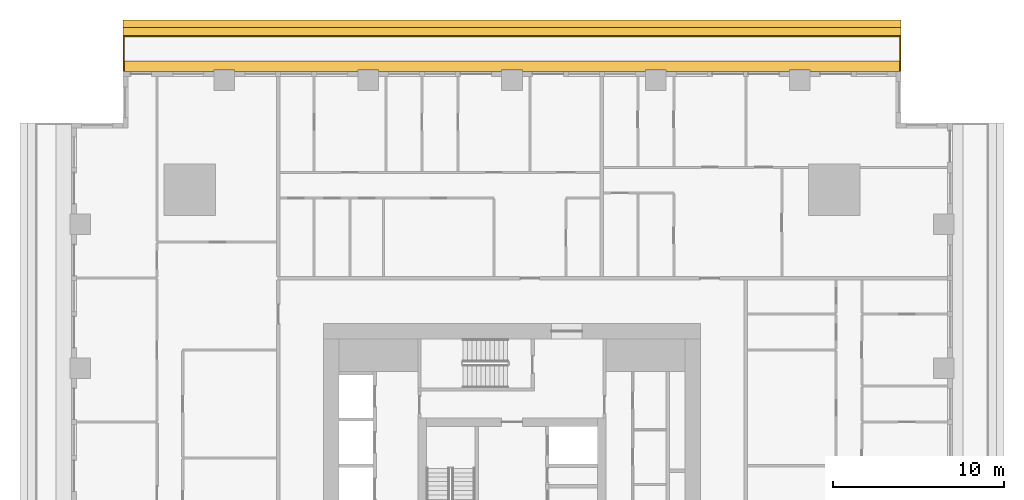
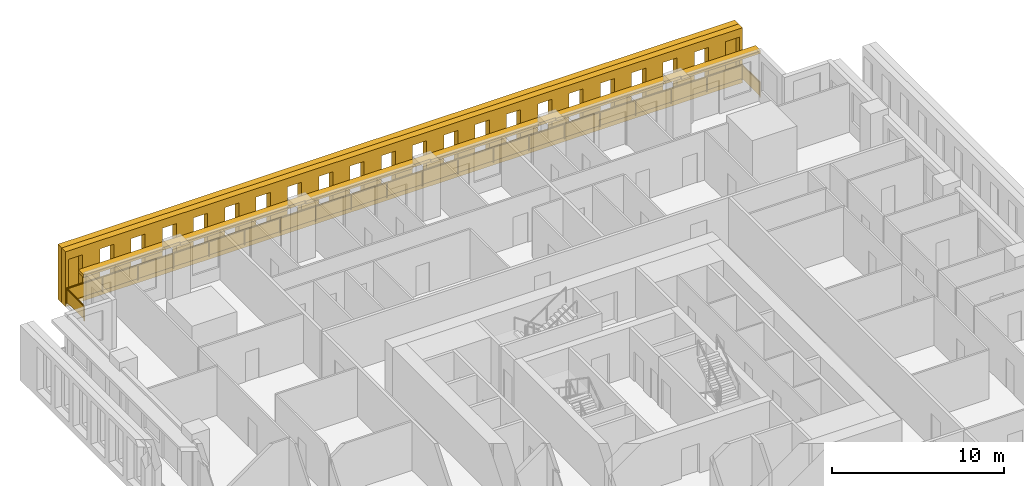
# One storey, part 15 of 15: 3 shading devices, 1 railing.
"""IFC4 building model written with IfcOpenShell, lengths in metres."""

from ifc_helpers import new_model, si_unit, direction, frame, origin, origin_2d, place, context, subcontext, project, spatial, polyline, rectangle, outline, extrude, material, layer, layer_set, type_object, element, save


model = new_model("IFC4")

# Units and contexts
model_context = context("Model", 3, precision=1e-05, world=origin(), true_north=direction((0.0, 1.0)))
body_context = subcontext(model_context, "Body", "Model", "MODEL_VIEW")
ifc_project = project(units=[si_unit("LENGTHUNIT", "METRE"), si_unit("AREAUNIT", "SQUARE_METRE"), si_unit("VOLUMEUNIT", "CUBIC_METRE"), si_unit("PLANEANGLEUNIT", "RADIAN"), si_unit("MASSUNIT", "GRAM", prefix="KILO")], contexts=[model_context])

# Site, building, storey
site_placement = place(None, origin())
site = spatial("IfcSite", under=ifc_project, at=site_placement, CompositionType="ELEMENT")
building_placement = place(site_placement, origin())
building = spatial("IfcBuilding", under=site, at=building_placement, Name="Khepri Terraces", CompositionType="ELEMENT")
storey_placement = place(building_placement, frame((0.0, 0.0, 42.60009765625)))
storey = spatial("IfcBuildingStorey", under=building, at=storey_placement, Name="L09", CompositionType="ELEMENT", Elevation=42.60009765625)

# Railing
ifc_material_1 = material(Name="Stainless steel grade 316", Category="steel")
railing_type = type_object("IfcRailingType", Name="GRD-BAL-1100", PredefinedType="GUARDRAIL", material=ifc_material_1)
railing_placement = place(storey_placement, frame((22.669921875, 25.719970703125, 0.0)))
element("IfcRailing", 1, at=railing_placement, inside=storey, type_object=railing_type, Name="Balcony guard L09 N", PredefinedType="GUARDRAIL", context=body_context, shape_type="SweptSolid", body=[
    extrude(rectangle(XDim=0.050048828125, YDim=0.06005859375, at=origin_2d()), frame((0.0, 0.0, 1.070068359375), z_axis=(0.0, 1.0, 0.0), x_axis=(-1.0, 0.0, 0.0)), (0.0, 0.0, 1.0), 2.050048828125),
    extrude(rectangle(XDim=2.0, YDim=0.011962890625, at=origin_2d()), frame((0.0, 1.02490234375, 0.10009765625), z_axis=(0.0, 0.0, 1.0), x_axis=(0.0, 1.0, 0.0)), (0.0, 0.0, 1.0), 0.93994140625),
    extrude(rectangle(XDim=0.050048828125, YDim=0.06005859375, at=origin_2d()), frame((0.0, 2.050048828125, 1.070068359375), z_axis=(-1.0, 0.0, 0.0), x_axis=(0.0, -1.0, 0.0)), (0.0, 0.0, 1.0), 45.33984375),
    extrude(rectangle(XDim=2.336181640625, YDim=0.011962890625, at=origin_2d()), frame((-1.193115234375, 2.050048828125, 0.10009765625), z_axis=(0.0, 0.0, 1.0), x_axis=(-1.0, 0.0, 0.0)), (0.0, 0.0, 1.0), 0.93994140625),
    extrude(rectangle(XDim=2.336181640625, YDim=0.011962890625, at=origin_2d()), frame((-3.579345703125, 2.050048828125, 0.10009765625), z_axis=(0.0, 0.0, 1.0), x_axis=(-1.0, 0.0, 0.0)), (0.0, 0.0, 1.0), 0.93994140625),
    extrude(rectangle(XDim=2.336181640625, YDim=0.011962890625, at=origin_2d()), frame((-5.9658203125, 2.050048828125, 0.10009765625), z_axis=(0.0, 0.0, 1.0), x_axis=(-1.0, 0.0, 0.0)), (0.0, 0.0, 1.0), 0.93994140625),
    extrude(rectangle(XDim=2.336181640625, YDim=0.011962890625, at=origin_2d()), frame((-8.35205078125, 2.050048828125, 0.10009765625), z_axis=(0.0, 0.0, 1.0), x_axis=(-1.0, 0.0, 0.0)), (0.0, 0.0, 1.0), 0.93994140625),
    extrude(rectangle(XDim=2.336181640625, YDim=0.011962890625, at=origin_2d()), frame((-10.73828125, 2.050048828125, 0.10009765625), z_axis=(0.0, 0.0, 1.0), x_axis=(-1.0, 0.0, 0.0)), (0.0, 0.0, 1.0), 0.93994140625),
    extrude(rectangle(XDim=2.336181640625, YDim=0.011962890625, at=origin_2d()), frame((-13.124755859375, 2.050048828125, 0.10009765625), z_axis=(0.0, 0.0, 1.0), x_axis=(-1.0, 0.0, 0.0)), (0.0, 0.0, 1.0), 0.93994140625),
    extrude(rectangle(XDim=2.336181640625, YDim=0.011962890625, at=origin_2d()), frame((-15.510986328125, 2.050048828125, 0.10009765625), z_axis=(0.0, 0.0, 1.0), x_axis=(-1.0, 0.0, 0.0)), (0.0, 0.0, 1.0), 0.93994140625),
    extrude(rectangle(XDim=2.336181640625, YDim=0.011962890625, at=origin_2d()), frame((-17.897216796875, 2.050048828125, 0.10009765625), z_axis=(0.0, 0.0, 1.0), x_axis=(-1.0, 0.0, 0.0)), (0.0, 0.0, 1.0), 0.93994140625),
    extrude(rectangle(XDim=2.336181640625, YDim=0.011962890625, at=origin_2d()), frame((-20.28369140625, 2.050048828125, 0.10009765625), z_axis=(0.0, 0.0, 1.0), x_axis=(-1.0, 0.0, 0.0)), (0.0, 0.0, 1.0), 0.93994140625),
    extrude(rectangle(XDim=2.336181640625, YDim=0.011962890625, at=origin_2d()), frame((-22.669921875, 2.050048828125, 0.10009765625), z_axis=(0.0, 0.0, 1.0), x_axis=(-1.0, 0.0, 0.0)), (0.0, 0.0, 1.0), 0.93994140625),
    extrude(rectangle(XDim=2.336181640625, YDim=0.011962890625, at=origin_2d()), frame((-25.05615234375, 2.050048828125, 0.10009765625), z_axis=(0.0, 0.0, 1.0), x_axis=(-1.0, 0.0, 0.0)), (0.0, 0.0, 1.0), 0.93994140625),
    extrude(rectangle(XDim=2.336181640625, YDim=0.011962890625, at=origin_2d()), frame((-27.442626953125, 2.050048828125, 0.10009765625), z_axis=(0.0, 0.0, 1.0), x_axis=(-1.0, 0.0, 0.0)), (0.0, 0.0, 1.0), 0.93994140625),
    extrude(rectangle(XDim=2.336181640625, YDim=0.011962890625, at=origin_2d()), frame((-29.828857421875, 2.050048828125, 0.10009765625), z_axis=(0.0, 0.0, 1.0), x_axis=(-1.0, 0.0, 0.0)), (0.0, 0.0, 1.0), 0.93994140625),
    extrude(rectangle(XDim=2.336181640625, YDim=0.011962890625, at=origin_2d()), frame((-32.215087890625, 2.050048828125, 0.10009765625), z_axis=(0.0, 0.0, 1.0), x_axis=(-1.0, 0.0, 0.0)), (0.0, 0.0, 1.0), 0.93994140625),
    extrude(rectangle(XDim=2.336181640625, YDim=0.011962890625, at=origin_2d()), frame((-34.6015625, 2.050048828125, 0.10009765625), z_axis=(0.0, 0.0, 1.0), x_axis=(-1.0, 0.0, 0.0)), (0.0, 0.0, 1.0), 0.93994140625),
    extrude(rectangle(XDim=2.336181640625, YDim=0.011962890625, at=origin_2d()), frame((-36.98779296875, 2.050048828125, 0.10009765625), z_axis=(0.0, 0.0, 1.0), x_axis=(-1.0, 0.0, 0.0)), (0.0, 0.0, 1.0), 0.93994140625),
    extrude(rectangle(XDim=2.336181640625, YDim=0.011962890625, at=origin_2d()), frame((-39.3740234375, 2.050048828125, 0.10009765625), z_axis=(0.0, 0.0, 1.0), x_axis=(-1.0, 0.0, 0.0)), (0.0, 0.0, 1.0), 0.93994140625),
    extrude(rectangle(XDim=2.336181640625, YDim=0.011962890625, at=origin_2d()), frame((-41.760498046875, 2.050048828125, 0.10009765625), z_axis=(0.0, 0.0, 1.0), x_axis=(-1.0, 0.0, 0.0)), (0.0, 0.0, 1.0), 0.93994140625),
    extrude(rectangle(XDim=2.336181640625, YDim=0.011962890625, at=origin_2d()), frame((-44.146728515625, 2.050048828125, 0.10009765625), z_axis=(0.0, 0.0, 1.0), x_axis=(-1.0, 0.0, 0.0)), (0.0, 0.0, 1.0), 0.93994140625),
    extrude(rectangle(XDim=0.050048828125, YDim=0.06005859375, at=origin_2d()), frame((-45.33984375, 2.050048828125, 1.070068359375), z_axis=(0.0, -1.0, 0.0), x_axis=(1.0, 0.0, 0.0)), (0.0, 0.0, 1.0), 2.050048828125),
    extrude(rectangle(XDim=2.0, YDim=0.011962890625, at=origin_2d()), frame((-45.33984375, 1.02490234375, 0.10009765625), z_axis=(0.0, 0.0, 1.0), x_axis=(0.0, -1.0, 0.0)), (0.0, 0.0, 1.0), 0.93994140625),
    extrude(rectangle(XDim=0.050048828125, YDim=0.050048828125, at=origin_2d()), origin(), (0.0, 0.0, 1.0), 1.0400390625),
    extrude(rectangle(XDim=0.050048828125, YDim=0.050048828125, at=origin_2d()), frame((0.0, 2.050048828125, 0.0)), (0.0, 0.0, 1.0), 1.0400390625),
    extrude(rectangle(XDim=0.050048828125, YDim=0.050048828125, at=origin_2d()), frame((-2.38623046875, 2.050048828125, 0.0)), (0.0, 0.0, 1.0), 1.0400390625),
    extrude(rectangle(XDim=0.050048828125, YDim=0.050048828125, at=origin_2d()), frame((-4.772705078125, 2.050048828125, 0.0)), (0.0, 0.0, 1.0), 1.0400390625),
    extrude(rectangle(XDim=0.050048828125, YDim=0.050048828125, at=origin_2d()), frame((-7.158935546875, 2.050048828125, 0.0)), (0.0, 0.0, 1.0), 1.0400390625),
    extrude(rectangle(XDim=0.050048828125, YDim=0.050048828125, at=origin_2d()), frame((-9.545166015625, 2.050048828125, 0.0)), (0.0, 0.0, 1.0), 1.0400390625),
    extrude(rectangle(XDim=0.050048828125, YDim=0.050048828125, at=origin_2d()), frame((-11.931640625, 2.050048828125, 0.0)), (0.0, 0.0, 1.0), 1.0400390625),
    extrude(rectangle(XDim=0.050048828125, YDim=0.050048828125, at=origin_2d()), frame((-14.31787109375, 2.050048828125, 0.0)), (0.0, 0.0, 1.0), 1.0400390625),
    extrude(rectangle(XDim=0.050048828125, YDim=0.050048828125, at=origin_2d()), frame((-16.7041015625, 2.050048828125, 0.0)), (0.0, 0.0, 1.0), 1.0400390625),
    extrude(rectangle(XDim=0.050048828125, YDim=0.050048828125, at=origin_2d()), frame((-19.090576171875, 2.050048828125, 0.0)), (0.0, 0.0, 1.0), 1.0400390625),
    extrude(rectangle(XDim=0.050048828125, YDim=0.050048828125, at=origin_2d()), frame((-21.476806640625, 2.050048828125, 0.0)), (0.0, 0.0, 1.0), 1.0400390625),
    extrude(rectangle(XDim=0.050048828125, YDim=0.050048828125, at=origin_2d()), frame((-23.863037109375, 2.050048828125, 0.0)), (0.0, 0.0, 1.0), 1.0400390625),
    extrude(rectangle(XDim=0.050048828125, YDim=0.050048828125, at=origin_2d()), frame((-26.249267578125, 2.050048828125, 0.0)), (0.0, 0.0, 1.0), 1.0400390625),
    extrude(rectangle(XDim=0.050048828125, YDim=0.050048828125, at=origin_2d()), frame((-28.6357421875, 2.050048828125, 0.0)), (0.0, 0.0, 1.0), 1.0400390625),
    extrude(rectangle(XDim=0.050048828125, YDim=0.050048828125, at=origin_2d()), frame((-31.02197265625, 2.050048828125, 0.0)), (0.0, 0.0, 1.0), 1.0400390625),
    extrude(rectangle(XDim=0.050048828125, YDim=0.050048828125, at=origin_2d()), frame((-33.408203125, 2.050048828125, 0.0)), (0.0, 0.0, 1.0), 1.0400390625),
    extrude(rectangle(XDim=0.050048828125, YDim=0.050048828125, at=origin_2d()), frame((-35.794677734375, 2.050048828125, 0.0)), (0.0, 0.0, 1.0), 1.0400390625),
    extrude(rectangle(XDim=0.050048828125, YDim=0.050048828125, at=origin_2d()), frame((-38.180908203125, 2.050048828125, 0.0)), (0.0, 0.0, 1.0), 1.0400390625),
    extrude(rectangle(XDim=0.050048828125, YDim=0.050048828125, at=origin_2d()), frame((-40.567138671875, 2.050048828125, 0.0)), (0.0, 0.0, 1.0), 1.0400390625),
    extrude(rectangle(XDim=0.050048828125, YDim=0.050048828125, at=origin_2d()), frame((-42.95361328125, 2.050048828125, 0.0)), (0.0, 0.0, 1.0), 1.0400390625),
    extrude(rectangle(XDim=0.050048828125, YDim=0.050048828125, at=origin_2d()), frame((-45.33984375, 2.050048828125, 0.0)), (0.0, 0.0, 1.0), 1.0400390625),
    extrude(rectangle(XDim=0.050048828125, YDim=0.050048828125, at=origin_2d()), frame((-45.33984375, 0.0, 0.0)), (0.0, 0.0, 1.0), 1.0400390625),
])

# Shading devices
ifc_material_2 = material(Name="Precast concrete C50/60 warm stone", Category="masonry")
shading_device_type_1 = type_object("IfcShadingDeviceType", Name="SCR-CELL-INNER-450", PredefinedType="USERDEFINED", material=ifc_material_2)
shading_device_1_placement = place(storey_placement, frame((22.719970703125, 27.820068359375, -0.25), z_axis=(0.0, 1.0, 0.0), x_axis=(-1.0, 0.0, 0.0)))
element("IfcShadingDevice", 2, at=shading_device_1_placement, inside=storey, type_object=shading_device_type_1, Name="Cell screen L09 N in", ObjectType="SCREEN", PredefinedType="USERDEFINED", context=body_context, shape_type="SweptSolid", body=[
    extrude(outline(polyline([(0.0, 0.0), (45.43994140625, 0.0), (45.43994140625, 3.89990234375), (0.0, 3.89990234375), (0.0, 0.0)]), holes=[polyline([(0.197509765625, 0.699951171875), (1.142578125, 0.699951171875), (1.142578125, 3.300048828125), (0.197509765625, 3.300048828125), (0.197509765625, 0.699951171875)]), polyline([(2.297607421875, 0.699951171875), (3.242431640625, 0.699951171875), (3.242431640625, 3.300048828125), (2.297607421875, 3.300048828125), (2.297607421875, 0.699951171875)]), polyline([(4.3974609375, 0.699951171875), (5.342529296875, 0.699951171875), (5.342529296875, 3.300048828125), (4.3974609375, 3.300048828125), (4.3974609375, 0.699951171875)]), polyline([(6.49755859375, 0.699951171875), (7.4423828125, 0.699951171875), (7.4423828125, 3.300048828125), (6.49755859375, 3.300048828125), (6.49755859375, 0.699951171875)]), polyline([(8.597412109375, 0.699951171875), (9.54248046875, 0.699951171875), (9.54248046875, 3.300048828125), (8.597412109375, 3.300048828125), (8.597412109375, 0.699951171875)]), polyline([(10.697509765625, 0.699951171875), (11.642578125, 0.699951171875), (11.642578125, 3.300048828125), (10.697509765625, 3.300048828125), (10.697509765625, 0.699951171875)]), polyline([(12.797607421875, 0.699951171875), (13.742431640625, 0.699951171875), (13.742431640625, 3.300048828125), (12.797607421875, 3.300048828125), (12.797607421875, 0.699951171875)]), polyline([(14.8974609375, 0.699951171875), (15.842529296875, 0.699951171875), (15.842529296875, 3.300048828125), (14.8974609375, 3.300048828125), (14.8974609375, 0.699951171875)]), polyline([(16.99755859375, 0.699951171875), (17.9423828125, 0.699951171875), (17.9423828125, 3.300048828125), (16.99755859375, 3.300048828125), (16.99755859375, 0.699951171875)]), polyline([(19.097412109375, 0.699951171875), (20.04248046875, 0.699951171875), (20.04248046875, 3.300048828125), (19.097412109375, 3.300048828125), (19.097412109375, 0.699951171875)]), polyline([(21.197509765625, 0.699951171875), (22.142578125, 0.699951171875), (22.142578125, 3.300048828125), (21.197509765625, 3.300048828125), (21.197509765625, 0.699951171875)]), polyline([(23.297607421875, 0.699951171875), (24.242431640625, 0.699951171875), (24.242431640625, 3.300048828125), (23.297607421875, 3.300048828125), (23.297607421875, 0.699951171875)]), polyline([(25.3974609375, 0.699951171875), (26.342529296875, 0.699951171875), (26.342529296875, 3.300048828125), (25.3974609375, 3.300048828125), (25.3974609375, 0.699951171875)]), polyline([(27.49755859375, 0.699951171875), (28.4423828125, 0.699951171875), (28.4423828125, 3.300048828125), (27.49755859375, 3.300048828125), (27.49755859375, 0.699951171875)]), polyline([(29.597412109375, 0.699951171875), (30.54248046875, 0.699951171875), (30.54248046875, 3.300048828125), (29.597412109375, 3.300048828125), (29.597412109375, 0.699951171875)]), polyline([(31.697509765625, 0.699951171875), (32.642578125, 0.699951171875), (32.642578125, 3.300048828125), (31.697509765625, 3.300048828125), (31.697509765625, 0.699951171875)]), polyline([(33.797607421875, 0.699951171875), (34.742431640625, 0.699951171875), (34.742431640625, 3.300048828125), (33.797607421875, 3.300048828125), (33.797607421875, 0.699951171875)]), polyline([(35.8974609375, 0.699951171875), (36.842529296875, 0.699951171875), (36.842529296875, 3.300048828125), (35.8974609375, 3.300048828125), (35.8974609375, 0.699951171875)]), polyline([(37.99755859375, 0.699951171875), (38.9423828125, 0.699951171875), (38.9423828125, 3.300048828125), (37.99755859375, 3.300048828125), (37.99755859375, 0.699951171875)]), polyline([(40.097412109375, 0.699951171875), (41.04248046875, 0.699951171875), (41.04248046875, 3.300048828125), (40.097412109375, 3.300048828125), (40.097412109375, 0.699951171875)]), polyline([(42.197509765625, 0.699951171875), (43.142578125, 0.699951171875), (43.142578125, 3.300048828125), (42.197509765625, 3.300048828125), (42.197509765625, 0.699951171875)]), polyline([(44.297607421875, 0.699951171875), (45.242431640625, 0.699951171875), (45.242431640625, 3.300048828125), (44.297607421875, 3.300048828125), (44.297607421875, 0.699951171875)])]), origin(), (0.0, 0.0, 1.0), 0.449951171875),
])
shading_device_type_2 = type_object("IfcShadingDeviceType", Name="SCR-CELL-OUTER-450", PredefinedType="USERDEFINED", material=ifc_material_2)
shading_device_2_placement = place(storey_placement, frame((22.719970703125, 28.27001953125, -0.25), z_axis=(0.0, 1.0, 0.0), x_axis=(-1.0, 0.0, 0.0)))
element("IfcShadingDevice", 3, at=shading_device_2_placement, inside=storey, type_object=shading_device_type_2, Name="Cell screen L09 N out", ObjectType="SCREEN", PredefinedType="USERDEFINED", context=body_context, shape_type="SweptSolid", body=[
    extrude(outline(polyline([(0.0, 0.0), (45.43994140625, 0.0), (45.43994140625, 3.89990234375), (0.0, 3.89990234375), (0.0, 0.0)]), holes=[polyline([(1.947509765625, 0.449951171875), (3.592529296875, 0.449951171875), (3.592529296875, 3.550048828125), (1.947509765625, 3.550048828125), (1.947509765625, 0.449951171875)]), polyline([(4.047607421875, 0.449951171875), (5.6923828125, 0.449951171875), (5.6923828125, 3.550048828125), (4.047607421875, 3.550048828125), (4.047607421875, 0.449951171875)]), polyline([(6.1474609375, 0.449951171875), (7.79248046875, 0.449951171875), (7.79248046875, 3.550048828125), (6.1474609375, 3.550048828125), (6.1474609375, 0.449951171875)]), polyline([(8.24755859375, 0.449951171875), (9.892578125, 0.449951171875), (9.892578125, 3.550048828125), (8.24755859375, 3.550048828125), (8.24755859375, 0.449951171875)]), polyline([(10.347412109375, 0.449951171875), (11.992431640625, 0.449951171875), (11.992431640625, 3.550048828125), (10.347412109375, 3.550048828125), (10.347412109375, 0.449951171875)]), polyline([(12.447509765625, 0.449951171875), (14.092529296875, 0.449951171875), (14.092529296875, 3.550048828125), (12.447509765625, 3.550048828125), (12.447509765625, 0.449951171875)]), polyline([(14.547607421875, 0.449951171875), (16.1923828125, 0.449951171875), (16.1923828125, 3.550048828125), (14.547607421875, 3.550048828125), (14.547607421875, 0.449951171875)]), polyline([(16.6474609375, 0.449951171875), (18.29248046875, 0.449951171875), (18.29248046875, 3.550048828125), (16.6474609375, 3.550048828125), (16.6474609375, 0.449951171875)]), polyline([(18.74755859375, 0.449951171875), (20.392578125, 0.449951171875), (20.392578125, 3.550048828125), (18.74755859375, 3.550048828125), (18.74755859375, 0.449951171875)]), polyline([(20.847412109375, 0.449951171875), (22.492431640625, 0.449951171875), (22.492431640625, 3.550048828125), (20.847412109375, 3.550048828125), (20.847412109375, 0.449951171875)]), polyline([(22.947509765625, 0.449951171875), (24.592529296875, 0.449951171875), (24.592529296875, 3.550048828125), (22.947509765625, 3.550048828125), (22.947509765625, 0.449951171875)]), polyline([(25.047607421875, 0.449951171875), (26.6923828125, 0.449951171875), (26.6923828125, 3.550048828125), (25.047607421875, 3.550048828125), (25.047607421875, 0.449951171875)]), polyline([(27.1474609375, 0.449951171875), (28.79248046875, 0.449951171875), (28.79248046875, 3.550048828125), (27.1474609375, 3.550048828125), (27.1474609375, 0.449951171875)]), polyline([(29.24755859375, 0.449951171875), (30.892578125, 0.449951171875), (30.892578125, 3.550048828125), (29.24755859375, 3.550048828125), (29.24755859375, 0.449951171875)]), polyline([(31.347412109375, 0.449951171875), (32.992431640625, 0.449951171875), (32.992431640625, 3.550048828125), (31.347412109375, 3.550048828125), (31.347412109375, 0.449951171875)]), polyline([(33.447509765625, 0.449951171875), (35.092529296875, 0.449951171875), (35.092529296875, 3.550048828125), (33.447509765625, 3.550048828125), (33.447509765625, 0.449951171875)]), polyline([(35.547607421875, 0.449951171875), (37.1923828125, 0.449951171875), (37.1923828125, 3.550048828125), (35.547607421875, 3.550048828125), (35.547607421875, 0.449951171875)]), polyline([(37.6474609375, 0.449951171875), (39.29248046875, 0.449951171875), (39.29248046875, 3.550048828125), (37.6474609375, 3.550048828125), (37.6474609375, 0.449951171875)]), polyline([(39.74755859375, 0.449951171875), (41.392578125, 0.449951171875), (41.392578125, 3.550048828125), (39.74755859375, 3.550048828125), (39.74755859375, 0.449951171875)]), polyline([(41.847412109375, 0.449951171875), (43.492431640625, 0.449951171875), (43.492431640625, 3.550048828125), (41.847412109375, 3.550048828125), (41.847412109375, 0.449951171875)])]), origin(), (0.0, 0.0, 1.0), 0.449951171875),
])
ifc_layer = layer(ifc_material_2, 0.199951171875, Name="Precast concrete C50/60 warm stone", Category="masonry")
ifc_layer_set = layer_set([ifc_layer], Name="Precast concrete C50/60 warm stone")
shading_device_type_3 = type_object("IfcShadingDeviceType", Name="SSH-BAND-STONE-200-N", PredefinedType="USERDEFINED", material=ifc_layer_set)
shading_device_3_placement = place(storey_placement, frame((0.0, 0.0, 3.099853515625)))
element("IfcShadingDevice", 4, at=shading_device_3_placement, inside=storey, type_object=shading_device_type_3, Name="Sunshade band L09 N", ObjectType="SUNSHADE", PredefinedType="USERDEFINED", context=body_context, shape_type="SweptSolid", body=[
    extrude(outline(polyline([(17.39990234375, 25.719970703125), (22.719970703125, 25.719970703125), (22.719970703125, 26.320068359375), (-22.719970703125, 26.320068359375), (-22.719970703125, 25.719970703125), (-17.39990234375, 25.719970703125), (-17.39990234375, 25.800048828125), (-16.199951171875, 25.800048828125), (-16.199951171875, 25.719970703125), (-9.0, 25.719970703125), (-9.0, 25.800048828125), (-7.800048828125, 25.800048828125), (-7.800048828125, 25.719970703125), (-0.60009765625, 25.719970703125), (-0.60009765625, 25.800048828125), (0.60009765625, 25.800048828125), (0.60009765625, 25.719970703125), (7.800048828125, 25.719970703125), (7.800048828125, 25.800048828125), (9.0, 25.800048828125), (9.0, 25.719970703125), (16.199951171875, 25.719970703125), (16.199951171875, 25.800048828125), (17.39990234375, 25.800048828125), (17.39990234375, 25.719970703125)])), origin(), (0.0, 0.0, 1.0), 0.199951171875),
])

save(model, "model.ifc")
